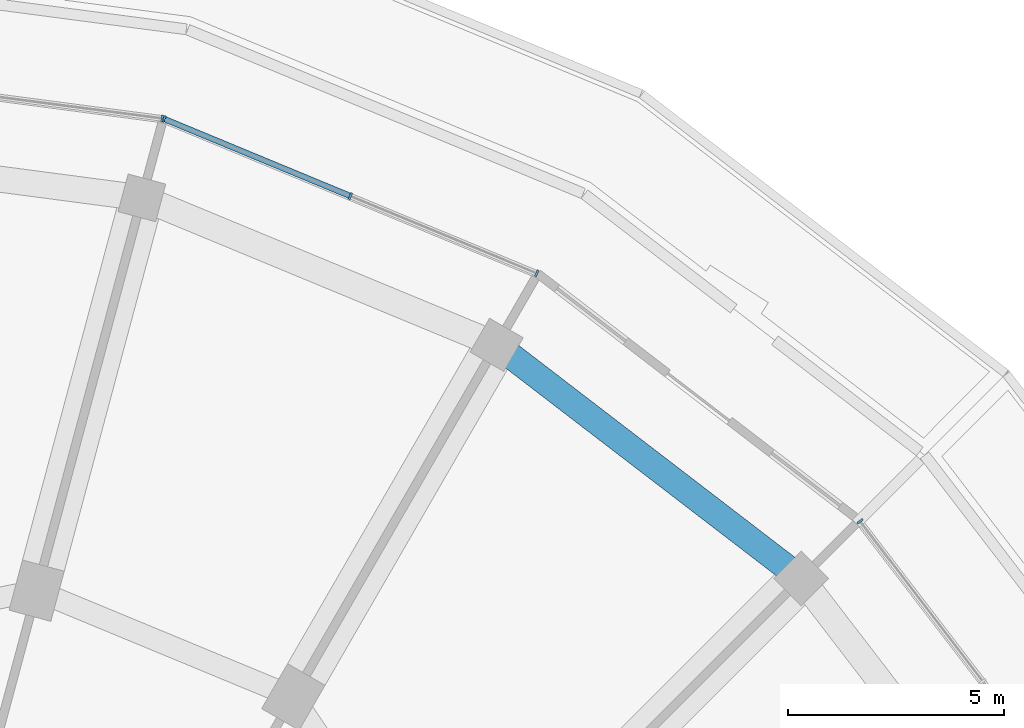
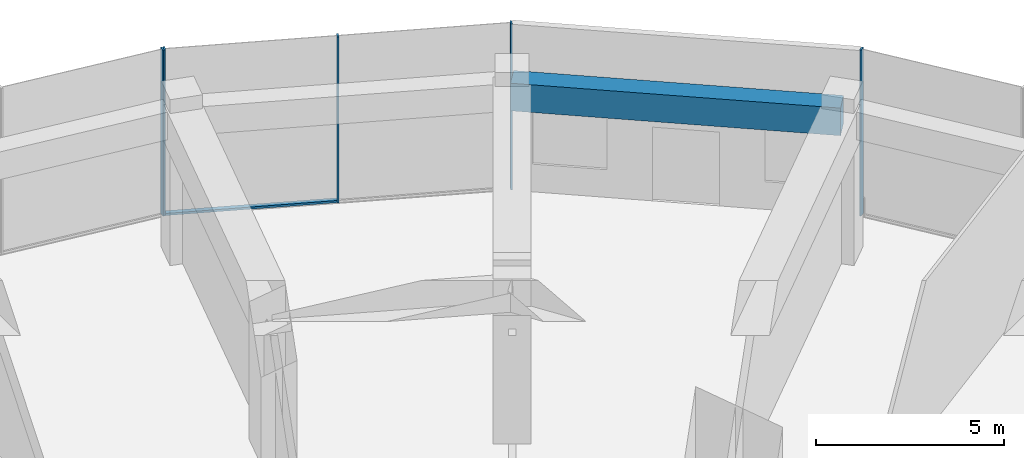
# One storey, part 14 of 26: 6 members, 1 beam, 3 elements without a shape of their own.
"""IFC4 building model written with IfcOpenShell, lengths in metres."""

from ifc_helpers import new_model, si_unit, direction, frame, origin, origin_2d, place, context, subcontext, project, spatial, rectangle, extrude, material, layer, layer_set, material_profile, profile_set, type_object, element, aggregate, save


model = new_model("IFC4")

# Units and contexts
model_context = context("Model", 3, precision=1e-05, world=origin(), true_north=direction((0.0, 1.0)))
body_context = subcontext(model_context, "Body", "Model", "MODEL_VIEW")
ifc_project = project(units=[si_unit("LENGTHUNIT", "METRE"), si_unit("AREAUNIT", "SQUARE_METRE"), si_unit("VOLUMEUNIT", "CUBIC_METRE"), si_unit("PLANEANGLEUNIT", "RADIAN"), si_unit("MASSUNIT", "GRAM", prefix="KILO")], contexts=[model_context])

# Site, building, storey
site_placement = place(None, origin())
site = spatial("IfcSite", under=ifc_project, at=site_placement, CompositionType="ELEMENT")
building_placement = place(site_placement, origin())
building = spatial("IfcBuilding", under=site, at=building_placement, Name="Torre Brocal", CompositionType="ELEMENT")
storey_placement = place(building_placement, frame((0.0, 0.0, 12.39990234375)))
storey = spatial("IfcBuildingStorey", under=building, at=storey_placement, Name="L02", CompositionType="ELEMENT", Elevation=12.39990234375)

# Curtain wall, member
ifc_material_1 = material(Name="Aluminium and glass", Category="aluminium")
ifc_layer = layer(ifc_material_1, 0.199951171875)
ifc_layer_set = layer_set([ifc_layer], Name="Aluminium and glass")
curtain_wall_type = type_object("IfcCurtainWallType", Name="CW-6 CURTAIN WALL 5400 HIGH", PredefinedType="NOTDEFINED", material=ifc_layer_set)
curtain_wall_1_placement = place(storey_placement, origin())
curtain_wall_1 = element("IfcCurtainWall", 1, at=curtain_wall_1_placement, inside=storey, type_object=curtain_wall_type, Name="CW-6 RUN 3", PredefinedType="NOTDEFINED")
ifc_material_2 = material(Name="Aluminium, dark anodised", Category="aluminium")
ifc_material_profile_1 = material_profile(ifc_material_2, rectangle(XDim=0.159912109375, YDim=0.050048828125, at=origin_2d()), Name="CW-6 MULLION 50X160")
ifc_profile_set_1 = profile_set([ifc_material_profile_1], Name="Aluminium, dark anodised")
member_type_1 = type_object("IfcMemberType", Name="CW-6 MULLION 50X160", PredefinedType="MULLION", material=ifc_profile_set_1)
member_1_placement = place(storey_placement, frame((105.399658203125, 100.36474609375, 0.0), z_axis=(0.0, 0.0, 1.0), x_axis=(-0.793353340291, -0.608761429009, 0.0)))
member_1 = element("IfcMember", 2, at=member_1_placement, type_object=member_type_1, Name="CW6-1 mullion 3", PredefinedType="MULLION", context=body_context, shape_type="SweptSolid", body=[
    extrude(rectangle(XDim=0.159912109375, YDim=0.050048828125, at=origin_2d()), origin(), (0.0, 0.0, 1.0), 5.400146484375),
])
aggregate(curtain_wall_1, [member_1])

# Curtain wall, members
curtain_wall_2_placement = place(storey_placement, origin())
curtain_wall_2 = element("IfcCurtainWall", 3, at=curtain_wall_2_placement, inside=storey, type_object=curtain_wall_type, Name="CW-6 RUN 5", PredefinedType="NOTDEFINED")
member_2_placement = place(storey_placement, frame((97.926513671875, 106.09912109375, 0.0), z_axis=(0.0, 0.0, 1.0), x_axis=(-0.382683432333, -0.923879532525, 0.0)))
member_2 = element("IfcMember", 4, at=member_2_placement, type_object=member_type_1, Name="CW6-1 mullion 1", PredefinedType="MULLION", context=body_context, shape_type="SweptSolid", body=[
    extrude(rectangle(XDim=0.159912109375, YDim=0.050048828125, at=origin_2d()), origin(), (0.0, 0.0, 1.0), 5.400146484375),
])
member_3_placement = place(storey_placement, frame((93.620361328125, 107.8828125, 0.0), z_axis=(0.0, 0.0, 1.0), x_axis=(-0.382683432333, -0.923879532525, 0.0)))
member_3 = element("IfcMember", 5, at=member_3_placement, type_object=member_type_1, Name="CW6-1 mullion 2", PredefinedType="MULLION", context=body_context, shape_type="SweptSolid", body=[
    extrude(rectangle(XDim=0.159912109375, YDim=0.050048828125, at=origin_2d()), origin(), (0.0, 0.0, 1.0), 5.400146484375),
])
member_4_placement = place(storey_placement, frame((89.314453125, 109.666259765625, 0.0), z_axis=(0.0, 0.0, 1.0), x_axis=(-0.382683432333, -0.923879532525, 0.0)))
member_4 = element("IfcMember", 6, at=member_4_placement, type_object=member_type_1, Name="CW6-1 mullion 3", PredefinedType="MULLION", context=body_context, shape_type="SweptSolid", body=[
    extrude(rectangle(XDim=0.159912109375, YDim=0.050048828125, at=origin_2d()), origin(), (0.0, 0.0, 1.0), 5.400146484375),
])

# Curtain wall, member
curtain_wall_3_placement = place(storey_placement, origin())
curtain_wall_3 = element("IfcCurtainWall", 7, at=curtain_wall_3_placement, inside=storey, type_object=curtain_wall_type, Name="CW-6 RUN 6", PredefinedType="NOTDEFINED")
member_5_placement = place(storey_placement, frame((89.2666015625, 109.67919921875, 0.0), z_axis=(0.0, 0.0, 1.0), x_axis=(-0.130526192255, -0.991444861369, 0.0)))
member_5 = element("IfcMember", 8, at=member_5_placement, type_object=member_type_1, Name="CW6-1 mullion 1", PredefinedType="MULLION", context=body_context, shape_type="SweptSolid", body=[
    extrude(rectangle(XDim=0.159912109375, YDim=0.050048828125, at=origin_2d()), origin(), (0.0, 0.0, 1.0), 5.400146484375),
])
aggregate(curtain_wall_3, [member_5])

# Member
ifc_material_3 = material(Name="Aluminium, dark anodised", Category="aluminium")
ifc_material_profile_2 = material_profile(ifc_material_3, rectangle(XDim=0.1298828125, YDim=0.070068359375, at=origin_2d()), Name="CW-6 TRANSOM 130X70")
ifc_profile_set_2 = profile_set([ifc_material_profile_2], Name="Aluminium, dark anodised")
member_type_2 = type_object("IfcMemberType", Name="CW-6 TRANSOM 130X70", PredefinedType="USERDEFINED", material=ifc_profile_set_2)
member_6_placement = place(storey_placement, frame((93.597412109375, 107.892333984375, 0.03515625), z_axis=(-0.923883243627, 0.382674472816, 0.0), x_axis=(-0.382674472816, -0.923883243627, 0.0)))
member_6 = element("IfcMember", 9, at=member_6_placement, type_object=member_type_2, Name="CW6-1 transom 2.1", ObjectType="TRANSOM", PredefinedType="USERDEFINED", context=body_context, shape_type="SweptSolid", body=[
    extrude(rectangle(XDim=0.1298828125, YDim=0.070068359375, at=origin_2d()), origin(), (0.0, 0.0, 1.0), 4.61083984375),
])

aggregate(curtain_wall_2, [member_2, member_3, member_4, member_6])

# Beam
ifc_material_4 = material(Name="Concrete C50", Category="concrete")
ifc_material_profile_3 = material_profile(ifc_material_4, rectangle(XDim=0.60009765625, YDim=0.89990234375, at=origin_2d()), Name="RC 600X900")
ifc_profile_set_3 = profile_set([ifc_material_profile_3], Name="Concrete C50")
beam_type = type_object("IfcBeamType", Name="RC BEAM 600X900 C50 TOP 4950", PredefinedType="BEAM", material=ifc_profile_set_3)
beam_placement = place(storey_placement, frame((104.041748046875, 99.041748046875, 4.5), z_axis=(-0.793366788253, 0.608743902882, 0.0), x_axis=(-0.608743902882, -0.793366788253, 0.0)))
element("IfcBeam", 10, at=beam_placement, inside=storey, type_object=beam_type, Name="Beam BT-10", PredefinedType="BEAM", context=body_context, shape_type="SweptSolid", body=[
    extrude(rectangle(XDim=0.60009765625, YDim=0.89990234375, at=origin_2d()), origin(), (0.0, 0.0, 1.0), 8.875732421875),
])

save(model, "model.ifc")
